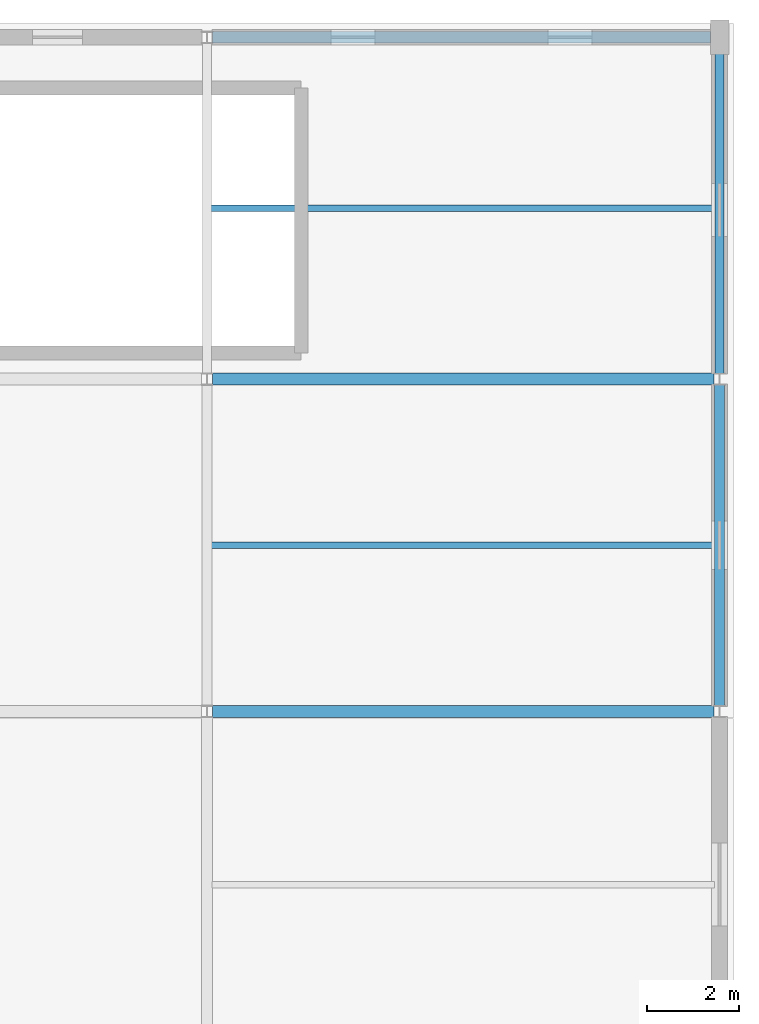
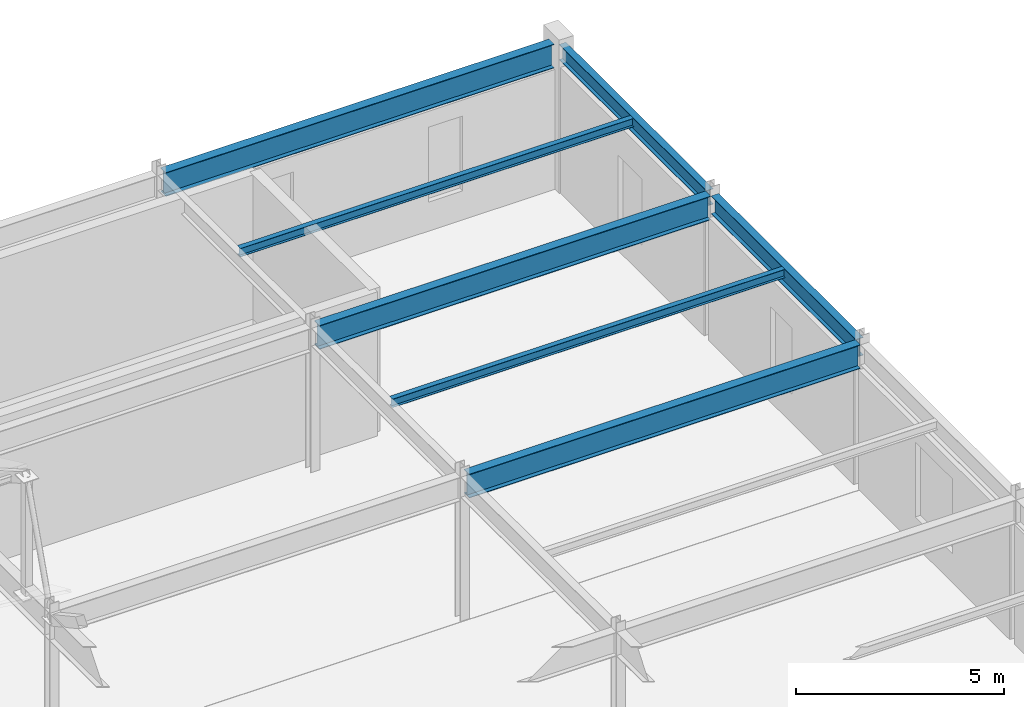
# One storey, part 70 of 112: 7 beams.
"""IFC4 building model written with IfcOpenShell, lengths in metres."""

from ifc_helpers import new_model, si_unit, direction, frame, origin, origin_2d, place, context, subcontext, project, spatial, i_section, extrude, material, material_profile, profile_set, type_object, element, save


model = new_model("IFC4")

# Units and contexts
model_context = context("Model", 3, precision=1e-05, world=origin(), true_north=direction((0.0, 1.0)))
body_context = subcontext(model_context, "Body", "Model", "MODEL_VIEW")
ifc_project = project(units=[si_unit("LENGTHUNIT", "METRE"), si_unit("AREAUNIT", "SQUARE_METRE"), si_unit("VOLUMEUNIT", "CUBIC_METRE"), si_unit("PLANEANGLEUNIT", "RADIAN"), si_unit("MASSUNIT", "GRAM", prefix="KILO")], contexts=[model_context])

# Site, building, storey
site_placement = place(None, origin())
site = spatial("IfcSite", under=ifc_project, at=site_placement, CompositionType="ELEMENT")
building_placement = place(site_placement, origin())
building = spatial("IfcBuilding", under=site, at=building_placement, Name="Cinderbank Siding Concert Hall", CompositionType="ELEMENT")
storey_placement = place(building_placement, frame((0.0, 0.0, 10.199951171875)))
storey = spatial("IfcBuildingStorey", under=building, at=storey_placement, Name="L03", CompositionType="ELEMENT", Elevation=10.199951171875)

# Beams
ifc_material_1 = material(Name="Structural steel AS/NZS 3679.1 Grade 350 (340 MPa)", Category="steel")
ifc_material_profile_1 = material_profile(ifc_material_1, i_section(OverallWidth=0.18994140625, OverallDepth=0.45751953125, WebThickness=0.009033203125, FlangeThickness=0.014404296875, at=origin_2d()), Name="460UB74.6", Category="LoadBearing")
ifc_profile_set_1 = profile_set([ifc_material_profile_1], Name="Structural steel AS/NZS 3679.1 Grade 350 (340 MPa)")
beam_type_1 = type_object("IfcBeamType", Name="BM-UB460 460UB74.6", PredefinedType="BEAM", material=ifc_profile_set_1)
beam_1_placement = place(storey_placement, frame((172.89990234375, 110.6201171875, 4.00341796875), z_axis=(0.0, 1.0, 0.0), x_axis=(-1.0, 0.0, 0.0)))
element("IfcBeam", 1, at=beam_1_placement, inside=storey, type_object=beam_type_1, Name="L03 Beam BM-UB460 #1759", PredefinedType="BEAM", context=body_context, shape_type="SweptSolid", body=[
    extrude(i_section(OverallWidth=0.18994140625, OverallDepth=0.45751953125, WebThickness=0.009033203125, FlangeThickness=0.014404296875, at=origin_2d()), origin(), (0.0, 0.0, 1.0), 7.087890625),
])
ifc_material_profile_2 = material_profile(ifc_material_1, i_section(OverallWidth=0.208984375, OverallDepth=0.5283203125, WebThickness=0.009521484375, FlangeThickness=0.01318359375, at=origin_2d()), Name="530UB82.0", Category="LoadBearing")
ifc_profile_set_2 = profile_set([ifc_material_profile_2], Name="Structural steel AS/NZS 3679.1 Grade 350 (340 MPa)")
beam_type_2 = type_object("IfcBeamType", Name="BM-UB530 530UB82.0", PredefinedType="BEAM", material=ifc_profile_set_2)
beam_2_placement = place(storey_placement, frame((172.89990234375, 103.419921875, 3.968017578125), z_axis=(0.0, 1.0, 0.0), x_axis=(-1.0, 0.0, 0.0)))
element("IfcBeam", 2, at=beam_2_placement, inside=storey, type_object=beam_type_2, Name="L03 Beam BM-UB530 #1758", PredefinedType="BEAM", context=body_context, shape_type="SweptSolid", body=[
    extrude(i_section(OverallWidth=0.208984375, OverallDepth=0.5283203125, WebThickness=0.009521484375, FlangeThickness=0.01318359375, at=origin_2d()), origin(), (0.0, 0.0, 1.0), 6.9599609375),
])
ifc_material_2 = material(Name="Structural steel welded plate section AS/NZS 3679.2 / AS/NZS 3678 Grade 350 (340 MPa)", Category="steel")
ifc_material_profile_3 = material_profile(ifc_material_2, i_section(OverallWidth=0.25, OverallDepth=0.699951171875, WebThickness=0.010009765625, FlangeThickness=0.01611328125, at=origin_2d()), Name="700WB130", Category="LoadBearing")
ifc_profile_set_3 = profile_set([ifc_material_profile_3], Name="Structural steel welded plate section AS/NZS 3679.2 / AS/NZS 3678 Grade 350 (340 MPa)")
beam_type_3 = type_object("IfcBeamType", Name="BM-WB700 700WB130", PredefinedType="BEAM", material=ifc_profile_set_3)
for number, where, z_axis, x_axis, name in (
    (3, (161.919921875, 103.300048828125, 3.882080078125), (1.0, 0.0, 0.0), (0.0, 1.0, 0.0), "L03 Beam BM-WB700 #1751"),
    (4, (161.919921875, 110.5, 3.882080078125), (1.0, 0.0, 0.0), (0.0, 1.0, 0.0), "L03 Beam BM-WB700 #1753"),
):
    element("IfcBeam", number, at=place(storey_placement, frame(where, z_axis=z_axis, x_axis=x_axis)), inside=storey, type_object=beam_type_3, Name=name, PredefinedType="BEAM", context=body_context, shape_type="SweptSolid", body=[
        extrude(i_section(OverallWidth=0.25, OverallDepth=0.699951171875, WebThickness=0.010009765625, FlangeThickness=0.01611328125, at=origin_2d()), origin(), (0.0, 0.0, 1.0), 10.860107421875),
    ])
beam_3_placement = place(storey_placement, frame((161.919921875, 117.89990234375, 3.882080078125), z_axis=(1.0, 0.0, 0.0), x_axis=(0.0, 1.0, 0.0)))
element("IfcBeam", 5, at=beam_3_placement, inside=storey, type_object=beam_type_3, Name="L03 Beam BM-WB700 #1755", PredefinedType="BEAM", context=body_context, shape_type="SweptSolid", body=[
    extrude(i_section(OverallWidth=0.25, OverallDepth=0.699951171875, WebThickness=0.010009765625, FlangeThickness=0.01611328125, at=origin_2d()), origin(), (0.0, 0.0, 1.0), 10.7880859375),
])
ifc_material_profile_4 = material_profile(ifc_material_1, i_section(OverallWidth=0.14599609375, OverallDepth=0.251708984375, WebThickness=0.006103515625, FlangeThickness=0.008544921875, at=origin_2d()), Name="250UB31.4", Category="LoadBearing")
ifc_profile_set_4 = profile_set([ifc_material_profile_4], Name="Structural steel AS/NZS 3679.1 Grade 350 (340 MPa)")
beam_type_4 = type_object("IfcBeamType", Name="JS-UB250 250UB31.4", PredefinedType="JOIST", material=ifc_profile_set_4)
beam_4_placement = place(storey_placement, frame((161.896484375, 106.89990234375, 4.106201171875), z_axis=(1.0, 0.0, 0.0), x_axis=(0.0, 1.0, 0.0)))
element("IfcBeam", 6, at=beam_4_placement, inside=storey, type_object=beam_type_4, Name="L03 Beam JS-UB250 #1828", PredefinedType="JOIST", context=body_context, shape_type="SweptSolid", body=[
    extrude(i_section(OverallWidth=0.14599609375, OverallDepth=0.251708984375, WebThickness=0.006103515625, FlangeThickness=0.008544921875, at=origin_2d()), origin(), (0.0, 0.0, 1.0), 10.906982421875),
])
beam_5_placement = place(storey_placement, frame((161.886962890625, 114.199951171875, 4.106201171875), z_axis=(1.0, 0.0, 0.0), x_axis=(0.0, 1.0, 0.0)))
element("IfcBeam", 7, at=beam_5_placement, inside=storey, type_object=beam_type_4, Name="L03 Beam JS-UB250 #1829", PredefinedType="JOIST", context=body_context, shape_type="SweptSolid", body=[
    extrude(i_section(OverallWidth=0.14599609375, OverallDepth=0.251708984375, WebThickness=0.006103515625, FlangeThickness=0.008544921875, at=origin_2d()), origin(), (0.0, 0.0, 1.0), 10.926025390625),
])

save(model, "model.ifc")
